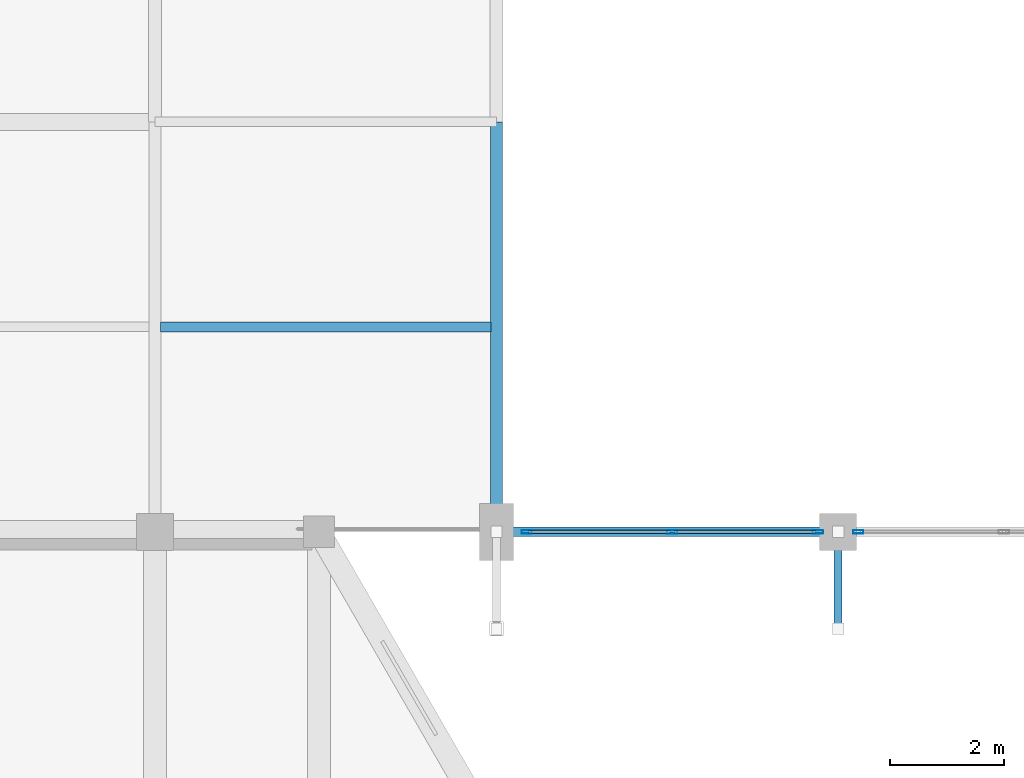
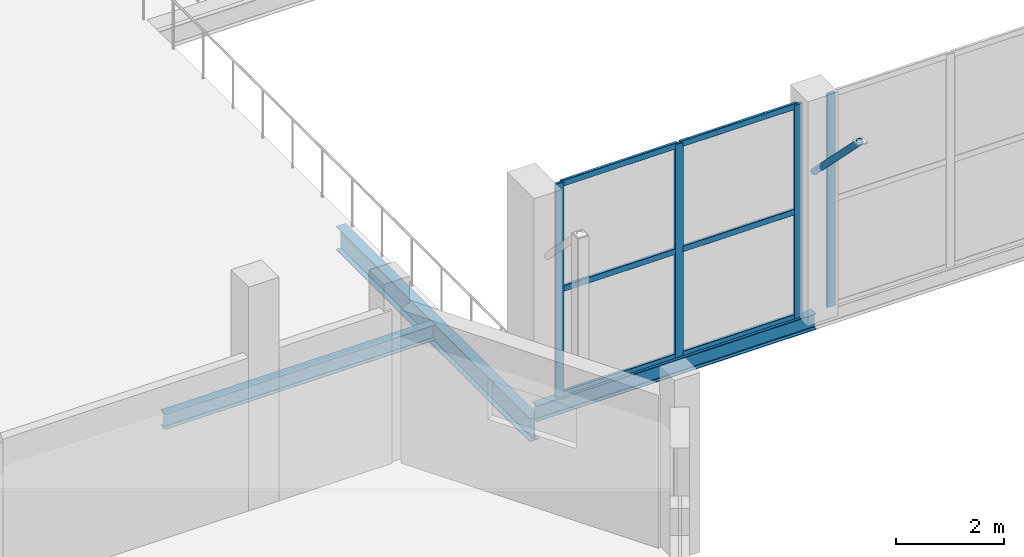
# One storey, part 19 of 127: 11 members, 3 beams, 2 elements without a shape of their own.
"""IFC4 building model written with IfcOpenShell, lengths in metres."""

from ifc_helpers import new_model, si_unit, direction, frame, origin, origin_2d, place, context, subcontext, project, spatial, hollow_rectangle, hollow_circle, i_section, extrude, material, layer, layer_set, material_profile, profile_set, type_object, element, aggregate, save


model = new_model("IFC4")

# Units and contexts
model_context = context("Model", 3, precision=1e-05, world=origin(), true_north=direction((0.0, 1.0)))
body_context = subcontext(model_context, "Body", "Model", "MODEL_VIEW")
ifc_project = project(units=[si_unit("LENGTHUNIT", "METRE"), si_unit("AREAUNIT", "SQUARE_METRE"), si_unit("VOLUMEUNIT", "CUBIC_METRE"), si_unit("PLANEANGLEUNIT", "RADIAN"), si_unit("MASSUNIT", "GRAM", prefix="KILO")], contexts=[model_context])

# Site, building, storey
site_placement = place(None, origin())
site = spatial("IfcSite", under=ifc_project, at=site_placement, CompositionType="ELEMENT")
building_placement = place(site_placement, origin())
building = spatial("IfcBuilding", under=site, at=building_placement, Name="Dunvalen Ferry Terminal", CompositionType="ELEMENT")
storey_placement = place(building_placement, frame((0.0, 0.0, 5.760009765625)))
storey = spatial("IfcBuildingStorey", under=building, at=storey_placement, Name="L01", CompositionType="ELEMENT", Elevation=5.760009765625)

# Curtain wall, members
ifc_material_1 = material(Name="Anodised marine aluminium and solar-control glazing", Category="aluminium")
ifc_layer = layer(ifc_material_1, 0.219970703125, Name="Anodised marine aluminium and solar-control glazing")
ifc_layer_set = layer_set([ifc_layer], Name="Anodised marine aluminium and solar-control glazing")
curtain_wall_type = type_object("IfcCurtainWallType", Name="ENV-CW-SYS-02", PredefinedType="NOTDEFINED", material=ifc_layer_set)
curtain_wall_1_placement = place(storey_placement, origin())
curtain_wall_1 = element("IfcCurtainWall", 1, at=curtain_wall_1_placement, inside=storey, type_object=curtain_wall_type, Name="L01 Curtain Wall CW-V1S-L01-01", PredefinedType="NOTDEFINED")
ifc_material_2 = material(Name="Anodised marine aluminium EN AW-6063 T6", Category="aluminium")
ifc_material_profile_1 = material_profile(ifc_material_2, hollow_rectangle(XDim=0.06005859375, YDim=0.179931640625, WallThickness=0.00341796875, InnerFilletRadius=0.00341796875, OuterFilletRadius=0.007080078125, at=origin_2d()), Name="Anodised marine aluminium EN AW-6063 T6")
ifc_profile_set_1 = profile_set([ifc_material_profile_1], Name="Anodised marine aluminium EN AW-6063 T6")
member_type_1 = type_object("IfcMemberType", Name="ENV-CW-MUL-2", PredefinedType="MULLION", material=ifc_profile_set_1)
member_1_placement = place(storey_placement, frame((36.530029296875, 50.39990234375, 0.02001953125), z_axis=(0.0, 0.0, 1.0), x_axis=(0.0, 1.0, 0.0)))
member_1 = element("IfcMember", 2, at=member_1_placement, type_object=member_type_1, Name="CW-02 mullion 1", PredefinedType="MULLION", context=body_context, shape_type="SweptSolid", body=[
    extrude(hollow_rectangle(XDim=0.06005859375, YDim=0.179931640625, WallThickness=0.00341796875, InnerFilletRadius=0.00341796875, OuterFilletRadius=0.007080078125, at=origin_2d()), origin(), (0.0, 0.0, 1.0), 4.840087890625),
])
member_2_placement = place(storey_placement, frame((39.08740234375, 50.39990234375, 0.02001953125), z_axis=(0.0, 0.0, 1.0), x_axis=(0.0, 1.0, 0.0)))
member_2 = element("IfcMember", 3, at=member_2_placement, type_object=member_type_1, Name="CW-02 mullion 2", PredefinedType="MULLION", context=body_context, shape_type="SweptSolid", body=[
    extrude(hollow_rectangle(XDim=0.06005859375, YDim=0.179931640625, WallThickness=0.00341796875, InnerFilletRadius=0.00341796875, OuterFilletRadius=0.007080078125, at=origin_2d()), origin(), (0.0, 0.0, 1.0), 4.840087890625),
])
member_3_placement = place(storey_placement, frame((41.64501953125, 50.39990234375, 0.02001953125), z_axis=(0.0, 0.0, 1.0), x_axis=(0.0, 1.0, 0.0)))
member_3 = element("IfcMember", 4, at=member_3_placement, type_object=member_type_1, Name="CW-02 mullion 3", PredefinedType="MULLION", context=body_context, shape_type="SweptSolid", body=[
    extrude(hollow_rectangle(XDim=0.06005859375, YDim=0.179931640625, WallThickness=0.00341796875, InnerFilletRadius=0.00341796875, OuterFilletRadius=0.007080078125, at=origin_2d()), origin(), (0.0, 0.0, 1.0), 4.840087890625),
])

# Curtain wall, member
curtain_wall_2_placement = place(storey_placement, origin())
curtain_wall_2 = element("IfcCurtainWall", 5, at=curtain_wall_2_placement, inside=storey, type_object=curtain_wall_type, Name="L01 Curtain Wall CW-V1S-L01-02", PredefinedType="NOTDEFINED")
member_4_placement = place(storey_placement, frame((42.35498046875, 50.39990234375, 0.02001953125), z_axis=(0.0, 0.0, 1.0), x_axis=(0.0, 1.0, 0.0)))
member_4 = element("IfcMember", 6, at=member_4_placement, type_object=member_type_1, Name="CW-02 mullion 1", PredefinedType="MULLION", context=body_context, shape_type="SweptSolid", body=[
    extrude(hollow_rectangle(XDim=0.06005859375, YDim=0.179931640625, WallThickness=0.00341796875, InnerFilletRadius=0.00341796875, OuterFilletRadius=0.007080078125, at=origin_2d()), origin(), (0.0, 0.0, 1.0), 4.840087890625),
])
aggregate(curtain_wall_2, [member_4])

# Member
ifc_material_profile_2 = material_profile(ifc_material_2, hollow_rectangle(XDim=0.06005859375, YDim=0.135009765625, WallThickness=0.003173828125, InnerFilletRadius=0.003173828125, OuterFilletRadius=0.00634765625, at=origin_2d()), Name="Anodised marine aluminium EN AW-6063 T6")
ifc_profile_set_2 = profile_set([ifc_material_profile_2], Name="Anodised marine aluminium EN AW-6063 T6")
member_type_2 = type_object("IfcMemberType", Name="ENV-CW-TRN-2", PredefinedType="USERDEFINED", material=ifc_profile_set_2)
member_5_placement = place(storey_placement, frame((36.56005859375, 50.39990234375, 0.050048828125), z_axis=(1.0, 0.0, 0.0), x_axis=(0.0, 1.0, 0.0)))
member_5 = element("IfcMember", 7, at=member_5_placement, type_object=member_type_2, Name="CW-02 transom 1.1", ObjectType="TRANSOM", PredefinedType="USERDEFINED", context=body_context, shape_type="SweptSolid", body=[
    extrude(hollow_rectangle(XDim=0.06005859375, YDim=0.135009765625, WallThickness=0.003173828125, InnerFilletRadius=0.003173828125, OuterFilletRadius=0.00634765625, at=origin_2d()), origin(), (0.0, 0.0, 1.0), 2.49755859375),
])

member_6_placement = place(storey_placement, frame((36.56005859375, 50.39990234375, 2.43994140625), z_axis=(1.0, 0.0, 0.0), x_axis=(0.0, 1.0, 0.0)))
member_6 = element("IfcMember", 8, at=member_6_placement, type_object=member_type_2, Name="CW-02 transom 1.2", ObjectType="TRANSOM", PredefinedType="USERDEFINED", context=body_context, shape_type="SweptSolid", body=[
    extrude(hollow_rectangle(XDim=0.06005859375, YDim=0.135009765625, WallThickness=0.003173828125, InnerFilletRadius=0.003173828125, OuterFilletRadius=0.00634765625, at=origin_2d()), origin(), (0.0, 0.0, 1.0), 2.49755859375),
])

member_7_placement = place(storey_placement, frame((36.56005859375, 50.39990234375, 4.830078125), z_axis=(1.0, 0.0, 0.0), x_axis=(0.0, 1.0, 0.0)))
member_7 = element("IfcMember", 9, at=member_7_placement, type_object=member_type_2, Name="CW-02 transom 1.3", ObjectType="TRANSOM", PredefinedType="USERDEFINED", context=body_context, shape_type="SweptSolid", body=[
    extrude(hollow_rectangle(XDim=0.06005859375, YDim=0.135009765625, WallThickness=0.003173828125, InnerFilletRadius=0.003173828125, OuterFilletRadius=0.00634765625, at=origin_2d()), origin(), (0.0, 0.0, 1.0), 2.49755859375),
])

member_8_placement = place(storey_placement, frame((39.117431640625, 50.39990234375, 0.050048828125), z_axis=(1.0, 0.0, 0.0), x_axis=(0.0, 1.0, 0.0)))
member_8 = element("IfcMember", 10, at=member_8_placement, type_object=member_type_2, Name="CW-02 transom 2.1", ObjectType="TRANSOM", PredefinedType="USERDEFINED", context=body_context, shape_type="SweptSolid", body=[
    extrude(hollow_rectangle(XDim=0.06005859375, YDim=0.135009765625, WallThickness=0.003173828125, InnerFilletRadius=0.003173828125, OuterFilletRadius=0.00634765625, at=origin_2d()), origin(), (0.0, 0.0, 1.0), 2.49755859375),
])

member_9_placement = place(storey_placement, frame((39.117431640625, 50.39990234375, 2.43994140625), z_axis=(1.0, 0.0, 0.0), x_axis=(0.0, 1.0, 0.0)))
member_9 = element("IfcMember", 11, at=member_9_placement, type_object=member_type_2, Name="CW-02 transom 2.2", ObjectType="TRANSOM", PredefinedType="USERDEFINED", context=body_context, shape_type="SweptSolid", body=[
    extrude(hollow_rectangle(XDim=0.06005859375, YDim=0.135009765625, WallThickness=0.003173828125, InnerFilletRadius=0.003173828125, OuterFilletRadius=0.00634765625, at=origin_2d()), origin(), (0.0, 0.0, 1.0), 2.49755859375),
])

member_10_placement = place(storey_placement, frame((39.117431640625, 50.39990234375, 4.830078125), z_axis=(1.0, 0.0, 0.0), x_axis=(0.0, 1.0, 0.0)))
member_10 = element("IfcMember", 12, at=member_10_placement, type_object=member_type_2, Name="CW-02 transom 2.3", ObjectType="TRANSOM", PredefinedType="USERDEFINED", context=body_context, shape_type="SweptSolid", body=[
    extrude(hollow_rectangle(XDim=0.06005859375, YDim=0.135009765625, WallThickness=0.003173828125, InnerFilletRadius=0.003173828125, OuterFilletRadius=0.00634765625, at=origin_2d()), origin(), (0.0, 0.0, 1.0), 2.49755859375),
])

aggregate(curtain_wall_1, [member_1, member_2, member_3, member_5, member_6, member_7, member_8, member_9, member_10])

# Beams
ifc_material_3 = material(Name="Steel S355", Category="steel")
ifc_material_profile_3 = material_profile(ifc_material_3, i_section(OverallWidth=0.169921875, OverallDepth=0.360107421875, WebThickness=0.008056640625, FlangeThickness=0.0126953125, FilletRadius=0.01806640625, at=origin_2d()), Name="Steel S355")
ifc_profile_set_3 = profile_set([ifc_material_profile_3], Name="Steel S355")
beam_type_1 = type_object("IfcBeamType", Name="STR-BM-IPE360", PredefinedType="BEAM", material=ifc_profile_set_3)
beam_1_placement = place(storey_placement, frame((36.0, 50.39990234375, -0.159912109375), z_axis=(1.0, 0.0, 0.0), x_axis=(0.0, 1.0, 0.0)))
element("IfcBeam", 13, at=beam_1_placement, inside=storey, type_object=beam_type_1, Name="Departure Hall South Curtain-Wall Girt 01", PredefinedType="BEAM", context=body_context, shape_type="SweptSolid", body=[
    extrude(i_section(OverallWidth=0.169921875, OverallDepth=0.360107421875, WebThickness=0.008056640625, FlangeThickness=0.0126953125, FilletRadius=0.01806640625, at=origin_2d()), origin(), (0.0, 0.0, 1.0), 6.0),
])
ifc_material_profile_4 = material_profile(ifc_material_3, i_section(OverallWidth=0.17138671875, OverallDepth=0.35498046875, WebThickness=0.00732421875, FlangeThickness=0.011474609375, FilletRadius=0.01025390625, at=origin_2d()), Name="Steel S355")
ifc_profile_set_4 = profile_set([ifc_material_profile_4], Name="Steel S355")
beam_type_2 = type_object("IfcBeamType", Name="STR-BM-UKB356", PredefinedType="JOIST", material=ifc_profile_set_4)
beam_2_placement = place(storey_placement, frame((30.10009765625, 54.0, -0.45751953125), z_axis=(1.0, 0.0, 0.0), x_axis=(0.0, 1.0, 0.0)))
element("IfcBeam", 14, at=beam_2_placement, inside=storey, type_object=beam_type_2, Name="L01 V1M Secondary Joist 010", PredefinedType="JOIST", context=body_context, shape_type="SweptSolid", body=[
    extrude(i_section(OverallWidth=0.17138671875, OverallDepth=0.35498046875, WebThickness=0.00732421875, FlangeThickness=0.011474609375, FilletRadius=0.01025390625, at=origin_2d()), origin(), (0.0, 0.0, 1.0), 5.7998046875),
])
ifc_material_profile_5 = material_profile(ifc_material_3, i_section(OverallWidth=0.209228515625, OverallDepth=0.533203125, WebThickness=0.010009765625, FlangeThickness=0.015625, FilletRadius=0.0126953125, at=origin_2d()), Name="Steel S355")
ifc_profile_set_5 = profile_set([ifc_material_profile_5], Name="Steel S355")
beam_type_3 = type_object("IfcBeamType", Name="STR-BM-UKB533", PredefinedType="BEAM", material=ifc_profile_set_5)
beam_3_placement = place(storey_placement, frame((36.0, 50.39990234375, -0.546630859375), z_axis=(0.0, 1.0, 0.0), x_axis=(-1.0, 0.0, 0.0)))
element("IfcBeam", 15, at=beam_3_placement, inside=storey, type_object=beam_type_3, Name="L01 V1M Primary Girder Y-099", PredefinedType="BEAM", context=body_context, shape_type="SweptSolid", body=[
    extrude(i_section(OverallWidth=0.209228515625, OverallDepth=0.533203125, WebThickness=0.010009765625, FlangeThickness=0.015625, FilletRadius=0.0126953125, at=origin_2d()), origin(), (0.0, 0.0, 1.0), 7.2001953125),
])

# Member
ifc_material_profile_6 = material_profile(ifc_material_3, hollow_circle(Radius=0.06982421875, WallThickness=0.00634765625, at=origin_2d()), Name="Steel S355")
ifc_profile_set_6 = profile_set([ifc_material_profile_6], Name="Steel S355")
member_type_3 = type_object("IfcMemberType", Name="STR-MB-CHS139", PredefinedType="BRACE", material=ifc_profile_set_6)
member_11_placement = place(storey_placement, frame((42.0, 50.39990234375, 3.18994140625), z_axis=(0.0, -0.705028038092, 0.709179431106), x_axis=(1.0, 0.0, 0.0)))
element("IfcMember", 16, at=member_11_placement, inside=storey, type_object=member_type_3, Name="Departure Hall South Eave Knee Strut 06", PredefinedType="BRACE", context=body_context, shape_type="SweptSolid", body=[
    extrude(hollow_circle(Radius=0.06982421875, WallThickness=0.00634765625, at=origin_2d()), origin(), (0.0, 0.0, 1.0), 2.4111328125),
])

save(model, "model.ifc")
